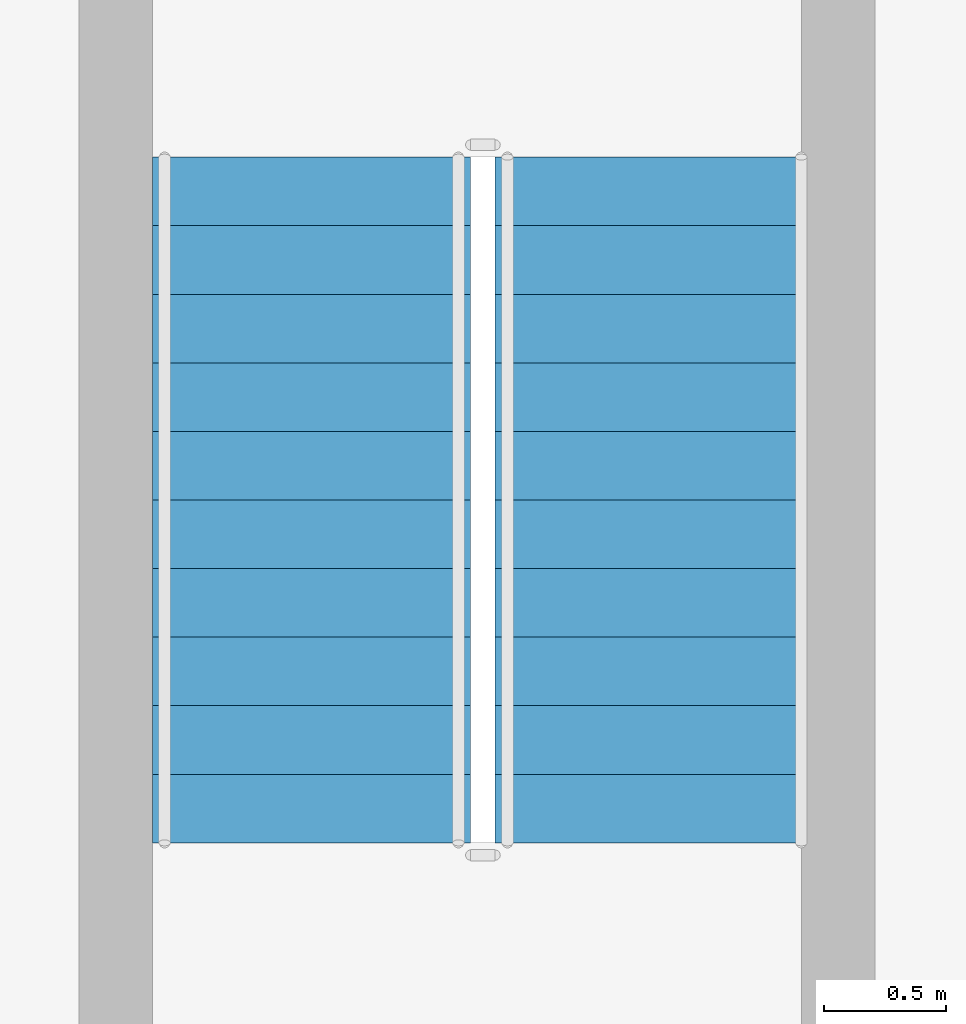
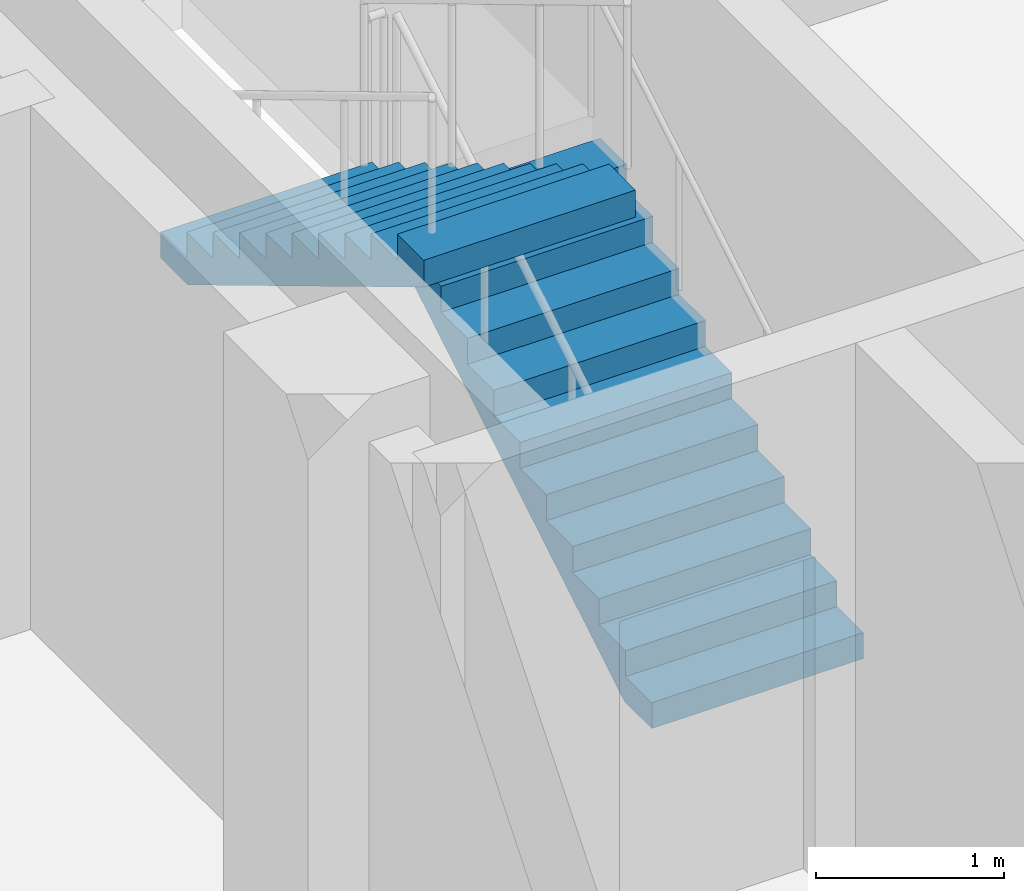
# One storey, part 16 of 23: 2 stair flights, 1 element without a shape of its own.
"""IFC4 building model written with IfcOpenShell, lengths in metres."""

from ifc_helpers import new_model, si_unit, direction, frame, origin, place, context, subcontext, project, spatial, triangles, source, transform, mapped, material, type_object, element, aggregate, save


model = new_model("IFC4")

# Units and contexts
model_context = context("Model", 3, precision=1e-05, world=origin(), true_north=direction((0.0, 1.0)))
body_context = subcontext(model_context, "Body", "Model", "MODEL_VIEW")
ifc_project = project(units=[si_unit("LENGTHUNIT", "METRE"), si_unit("AREAUNIT", "SQUARE_METRE"), si_unit("VOLUMEUNIT", "CUBIC_METRE"), si_unit("PLANEANGLEUNIT", "RADIAN"), si_unit("MASSUNIT", "GRAM", prefix="KILO")], contexts=[model_context])

# Site, building, storey
site_placement = place(None, origin())
site = spatial("IfcSite", under=ifc_project, at=site_placement, CompositionType="ELEMENT")
building_placement = place(site_placement, origin())
building = spatial("IfcBuilding", under=site, at=building_placement, Name="Ogive Portal Towers", CompositionType="ELEMENT")
storey_placement = place(building_placement, frame((0.0, 0.0, 164.39990234375)))
storey = spatial("IfcBuildingStorey", under=building, at=storey_placement, Name="L40", CompositionType="ELEMENT", Elevation=164.39990234375)

# Stair, stair flights
ifc_material = material(Name="Concrete C40/50", Category="concrete")
stair_type = type_object("IfcStairType", Name="INT-STAIR", PredefinedType="HALF_TURN_STAIR", material=ifc_material)
stair_placement = place(storey_placement, origin())
stair = element("IfcStair", 1, at=stair_placement, inside=storey, type_object=stair_type, Name="L40 Exit Stair ST-A3", PredefinedType="HALF_TURN_STAIR")
stair_flight_type = type_object("IfcStairFlightType", Name="INT-FLIGHT", PredefinedType="STRAIGHT", material=ifc_material)
shared_shape = source(origin(), body_context, "Body", "Tessellation", [
    triangles([(0.0, -0.650146484375, 0.0), (0.0, -0.376220703125, 0.0), (0.0, -0.192626953125, 0.0), (0.0, -0.081298828125, 0.0), (0.0, -0.024169921875, 0.0), (0.0, -0.003173828125, 0.0), (0.0, 0.0, 0.0), (0.0, 0.0029296875, 0.0), (0.0, 0.02392578125, 0.0), (0.0, 0.0810546875, 0.0), (0.0, 0.1923828125, 0.0), (0.0, 0.3759765625, 0.0), (0.0, 0.64990234375, 0.0), (0.0, -0.650146484375, 0.168212890625), (0.0, -0.376220703125, 0.168212890625), (0.0, -0.192626953125, 0.168212890625), (0.0, -0.081298828125, 0.168212890625), (0.0, -0.024169921875, 0.168212890625), (0.0, -0.003173828125, 0.168212890625), (0.0, 0.0, 0.168212890625), (0.0, 0.0029296875, 0.168212890625), (0.0, 0.02392578125, 0.168212890625), (0.0, 0.0810546875, 0.168212890625), (0.0, 0.1923828125, 0.168212890625), (0.0, 0.3759765625, 0.168212890625), (0.0, 0.64990234375, 0.168212890625), (0.280029296875, -0.650146484375, 0.168212890625), (0.280029296875, -0.376220703125, 0.168212890625), (0.280029296875, -0.192626953125, 0.168212890625), (0.280029296875, -0.081298828125, 0.168212890625), (0.280029296875, -0.024169921875, 0.168212890625), (0.280029296875, -0.003173828125, 0.168212890625), (0.280029296875, 0.0, 0.168212890625), (0.280029296875, 0.0029296875, 0.168212890625), (0.280029296875, 0.02392578125, 0.168212890625), (0.280029296875, 0.0810546875, 0.168212890625), (0.280029296875, 0.1923828125, 0.168212890625), (0.280029296875, 0.3759765625, 0.168212890625), (0.280029296875, 0.64990234375, 0.168212890625), (0.280029296875, -0.650146484375, 0.33642578125), (0.280029296875, -0.376220703125, 0.33642578125), (0.280029296875, -0.192626953125, 0.33642578125), (0.280029296875, -0.081298828125, 0.33642578125), (0.280029296875, -0.024169921875, 0.33642578125), (0.280029296875, -0.003173828125, 0.33642578125), (0.280029296875, 0.0, 0.33642578125), (0.280029296875, 0.0029296875, 0.33642578125), (0.280029296875, 0.02392578125, 0.33642578125), (0.280029296875, 0.0810546875, 0.33642578125), (0.280029296875, 0.1923828125, 0.33642578125), (0.280029296875, 0.3759765625, 0.33642578125), (0.280029296875, 0.64990234375, 0.33642578125), (0.56005859375, -0.650146484375, 0.33642578125), (0.56005859375, -0.376220703125, 0.33642578125), (0.56005859375, -0.192626953125, 0.33642578125), (0.56005859375, -0.081298828125, 0.33642578125), (0.56005859375, -0.024169921875, 0.33642578125), (0.56005859375, -0.003173828125, 0.33642578125), (0.56005859375, 0.0, 0.33642578125), (0.56005859375, 0.0029296875, 0.33642578125), (0.56005859375, 0.02392578125, 0.33642578125), (0.56005859375, 0.0810546875, 0.33642578125), (0.56005859375, 0.1923828125, 0.33642578125), (0.56005859375, 0.3759765625, 0.33642578125), (0.56005859375, 0.64990234375, 0.33642578125), (0.56005859375, -0.650146484375, 0.504638671875), (0.56005859375, -0.376220703125, 0.504638671875), (0.56005859375, -0.192626953125, 0.504638671875), (0.56005859375, -0.081298828125, 0.504638671875), (0.56005859375, -0.024169921875, 0.504638671875), (0.56005859375, -0.003173828125, 0.504638671875), (0.56005859375, 0.0, 0.504638671875), (0.56005859375, 0.0029296875, 0.504638671875), (0.56005859375, 0.02392578125, 0.504638671875), (0.56005859375, 0.0810546875, 0.504638671875), (0.56005859375, 0.1923828125, 0.504638671875), (0.56005859375, 0.3759765625, 0.504638671875), (0.56005859375, 0.64990234375, 0.504638671875), (0.840087890625, -0.650146484375, 0.504638671875), (0.840087890625, -0.376220703125, 0.504638671875), (0.840087890625, -0.192626953125, 0.504638671875), (0.840087890625, -0.081298828125, 0.504638671875), (0.840087890625, -0.024169921875, 0.504638671875), (0.840087890625, -0.003173828125, 0.504638671875), (0.840087890625, 0.0, 0.504638671875), (0.840087890625, 0.0029296875, 0.504638671875), (0.840087890625, 0.02392578125, 0.504638671875), (0.840087890625, 0.0810546875, 0.504638671875), (0.840087890625, 0.1923828125, 0.504638671875), (0.840087890625, 0.3759765625, 0.504638671875), (0.840087890625, 0.64990234375, 0.504638671875), (0.840087890625, -0.650146484375, 0.672607421875), (0.840087890625, -0.376220703125, 0.672607421875), (0.840087890625, -0.192626953125, 0.672607421875), (0.840087890625, -0.081298828125, 0.672607421875), (0.840087890625, -0.024169921875, 0.672607421875), (0.840087890625, -0.003173828125, 0.672607421875), (0.840087890625, 0.0, 0.672607421875), (0.840087890625, 0.0029296875, 0.672607421875), (0.840087890625, 0.02392578125, 0.672607421875), (0.840087890625, 0.0810546875, 0.672607421875), (0.840087890625, 0.1923828125, 0.672607421875), (0.840087890625, 0.3759765625, 0.672607421875), (0.840087890625, 0.64990234375, 0.672607421875), (1.1201171875, -0.650146484375, 0.672607421875), (1.1201171875, -0.376220703125, 0.672607421875), (1.1201171875, -0.192626953125, 0.672607421875), (1.1201171875, -0.081298828125, 0.672607421875), (1.1201171875, -0.024169921875, 0.672607421875), (1.1201171875, -0.003173828125, 0.672607421875), (1.1201171875, 0.0, 0.672607421875), (1.1201171875, 0.0029296875, 0.672607421875), (1.1201171875, 0.02392578125, 0.672607421875), (1.1201171875, 0.0810546875, 0.672607421875), (1.1201171875, 0.1923828125, 0.672607421875), (1.1201171875, 0.3759765625, 0.672607421875), (1.1201171875, 0.64990234375, 0.672607421875), (1.1201171875, -0.650146484375, 0.8408203125), (1.1201171875, -0.376220703125, 0.8408203125), (1.1201171875, -0.192626953125, 0.8408203125), (1.1201171875, -0.081298828125, 0.8408203125), (1.1201171875, -0.024169921875, 0.8408203125), (1.1201171875, -0.003173828125, 0.8408203125), (1.1201171875, 0.0, 0.8408203125), (1.1201171875, 0.0029296875, 0.8408203125), (1.1201171875, 0.02392578125, 0.8408203125), (1.1201171875, 0.0810546875, 0.8408203125), (1.1201171875, 0.1923828125, 0.8408203125), (1.1201171875, 0.3759765625, 0.8408203125), (1.1201171875, 0.64990234375, 0.8408203125), (1.39990234375, -0.650146484375, 0.8408203125), (1.39990234375, -0.376220703125, 0.8408203125), (1.39990234375, -0.192626953125, 0.8408203125), (1.39990234375, -0.081298828125, 0.8408203125), (1.39990234375, -0.024169921875, 0.8408203125), (1.39990234375, -0.003173828125, 0.8408203125), (1.39990234375, 0.0, 0.8408203125), (1.39990234375, 0.0029296875, 0.8408203125), (1.39990234375, 0.02392578125, 0.8408203125), (1.39990234375, 0.0810546875, 0.8408203125), (1.39990234375, 0.1923828125, 0.8408203125), (1.39990234375, 0.3759765625, 0.8408203125), (1.39990234375, 0.64990234375, 0.8408203125), (1.39990234375, -0.650146484375, 1.009033203125), (1.39990234375, -0.376220703125, 1.009033203125), (1.39990234375, -0.192626953125, 1.009033203125), (1.39990234375, -0.081298828125, 1.009033203125), (1.39990234375, -0.024169921875, 1.009033203125), (1.39990234375, -0.003173828125, 1.009033203125), (1.39990234375, 0.0, 1.009033203125), (1.39990234375, 0.0029296875, 1.009033203125), (1.39990234375, 0.02392578125, 1.009033203125), (1.39990234375, 0.0810546875, 1.009033203125), (1.39990234375, 0.1923828125, 1.009033203125), (1.39990234375, 0.3759765625, 1.009033203125), (1.39990234375, 0.64990234375, 1.009033203125), (1.679931640625, -0.650146484375, 1.009033203125), (1.679931640625, -0.376220703125, 1.009033203125), (1.679931640625, -0.192626953125, 1.009033203125), (1.679931640625, -0.081298828125, 1.009033203125), (1.679931640625, -0.024169921875, 1.009033203125), (1.679931640625, -0.003173828125, 1.009033203125), (1.679931640625, 0.0, 1.009033203125), (1.679931640625, 0.0029296875, 1.009033203125), (1.679931640625, 0.02392578125, 1.009033203125), (1.679931640625, 0.0810546875, 1.009033203125), (1.679931640625, 0.1923828125, 1.009033203125), (1.679931640625, 0.3759765625, 1.009033203125), (1.679931640625, 0.64990234375, 1.009033203125), (1.679931640625, -0.650146484375, 1.17724609375), (1.679931640625, -0.376220703125, 1.17724609375), (1.679931640625, -0.192626953125, 1.17724609375), (1.679931640625, -0.081298828125, 1.17724609375), (1.679931640625, -0.024169921875, 1.17724609375), (1.679931640625, -0.003173828125, 1.17724609375), (1.679931640625, 0.0, 1.17724609375), (1.679931640625, 0.0029296875, 1.17724609375), (1.679931640625, 0.02392578125, 1.17724609375), (1.679931640625, 0.0810546875, 1.17724609375), (1.679931640625, 0.1923828125, 1.17724609375), (1.679931640625, 0.3759765625, 1.17724609375), (1.679931640625, 0.64990234375, 1.17724609375), (1.9599609375, -0.650146484375, 1.17724609375), (1.9599609375, -0.376220703125, 1.17724609375), (1.9599609375, -0.192626953125, 1.17724609375), (1.9599609375, -0.081298828125, 1.17724609375), (1.9599609375, -0.024169921875, 1.17724609375), (1.9599609375, -0.003173828125, 1.17724609375), (1.9599609375, 0.0, 1.17724609375), (1.9599609375, 0.0029296875, 1.17724609375), (1.9599609375, 0.02392578125, 1.17724609375), (1.9599609375, 0.0810546875, 1.17724609375), (1.9599609375, 0.1923828125, 1.17724609375), (1.9599609375, 0.3759765625, 1.17724609375), (1.9599609375, 0.64990234375, 1.17724609375), (1.9599609375, -0.650146484375, 1.345458984375), (1.9599609375, -0.376220703125, 1.345458984375), (1.9599609375, -0.192626953125, 1.345458984375), (1.9599609375, -0.081298828125, 1.345458984375), (1.9599609375, -0.024169921875, 1.345458984375), (1.9599609375, -0.003173828125, 1.345458984375), (1.9599609375, 0.0, 1.345458984375), (1.9599609375, 0.0029296875, 1.345458984375), (1.9599609375, 0.02392578125, 1.345458984375), (1.9599609375, 0.0810546875, 1.345458984375), (1.9599609375, 0.1923828125, 1.345458984375), (1.9599609375, 0.3759765625, 1.345458984375), (1.9599609375, 0.64990234375, 1.345458984375), (2.239990234375, -0.650146484375, 1.345458984375), (2.239990234375, -0.376220703125, 1.345458984375), (2.239990234375, -0.192626953125, 1.345458984375), (2.239990234375, -0.081298828125, 1.345458984375), (2.239990234375, -0.024169921875, 1.345458984375), (2.239990234375, -0.003173828125, 1.345458984375), (2.239990234375, 0.0, 1.345458984375), (2.239990234375, 0.0029296875, 1.345458984375), (2.239990234375, 0.02392578125, 1.345458984375), (2.239990234375, 0.0810546875, 1.345458984375), (2.239990234375, 0.1923828125, 1.345458984375), (2.239990234375, 0.3759765625, 1.345458984375), (2.239990234375, 0.64990234375, 1.345458984375), (2.239990234375, -0.650146484375, 1.513671875), (2.239990234375, -0.376220703125, 1.513671875), (2.239990234375, -0.192626953125, 1.513671875), (2.239990234375, -0.081298828125, 1.513671875), (2.239990234375, -0.024169921875, 1.513671875), (2.239990234375, -0.003173828125, 1.513671875), (2.239990234375, 0.0, 1.513671875), (2.239990234375, 0.0029296875, 1.513671875), (2.239990234375, 0.02392578125, 1.513671875), (2.239990234375, 0.0810546875, 1.513671875), (2.239990234375, 0.1923828125, 1.513671875), (2.239990234375, 0.3759765625, 1.513671875), (2.239990234375, 0.64990234375, 1.513671875), (2.52001953125, -0.650146484375, 1.513671875), (2.52001953125, -0.376220703125, 1.513671875), (2.52001953125, -0.192626953125, 1.513671875), (2.52001953125, -0.081298828125, 1.513671875), (2.52001953125, -0.024169921875, 1.513671875), (2.52001953125, -0.003173828125, 1.513671875), (2.52001953125, 0.0, 1.513671875), (2.52001953125, 0.0029296875, 1.513671875), (2.52001953125, 0.02392578125, 1.513671875), (2.52001953125, 0.0810546875, 1.513671875), (2.52001953125, 0.1923828125, 1.513671875), (2.52001953125, 0.3759765625, 1.513671875), (2.52001953125, 0.64990234375, 1.513671875), (2.52001953125, -0.650146484375, 1.681884765625), (2.52001953125, -0.376220703125, 1.681884765625), (2.52001953125, -0.192626953125, 1.681884765625), (2.52001953125, -0.081298828125, 1.681884765625), (2.52001953125, -0.024169921875, 1.681884765625), (2.52001953125, -0.003173828125, 1.681884765625), (2.52001953125, 0.0, 1.681884765625), (2.52001953125, 0.0029296875, 1.681884765625), (2.52001953125, 0.02392578125, 1.681884765625), (2.52001953125, 0.0810546875, 1.681884765625), (2.52001953125, 0.1923828125, 1.681884765625), (2.52001953125, 0.3759765625, 1.681884765625), (2.52001953125, 0.64990234375, 1.681884765625), (2.800048828125, -0.650146484375, 1.681884765625), (2.800048828125, -0.376220703125, 1.681884765625), (2.800048828125, -0.192626953125, 1.681884765625), (2.800048828125, -0.081298828125, 1.681884765625), (2.800048828125, -0.024169921875, 1.681884765625), (2.800048828125, -0.003173828125, 1.681884765625), (2.800048828125, 0.0, 1.681884765625), (2.800048828125, 0.0029296875, 1.681884765625), (2.800048828125, 0.02392578125, 1.681884765625), (2.800048828125, 0.0810546875, 1.681884765625), (2.800048828125, 0.1923828125, 1.681884765625), (2.800048828125, 0.3759765625, 1.681884765625), (2.800048828125, 0.64990234375, 1.681884765625), (2.800048828125, -0.650146484375, 1.5068359375), (2.800048828125, -0.376220703125, 1.5068359375), (2.800048828125, -0.192626953125, 1.5068359375), (2.800048828125, -0.081298828125, 1.5068359375), (2.800048828125, -0.024169921875, 1.5068359375), (2.800048828125, -0.003173828125, 1.5068359375), (2.800048828125, 0.0, 1.5068359375), (2.800048828125, 0.0029296875, 1.5068359375), (2.800048828125, 0.02392578125, 1.5068359375), (2.800048828125, 0.0810546875, 1.5068359375), (2.800048828125, 0.1923828125, 1.5068359375), (2.800048828125, 0.3759765625, 1.5068359375), (2.800048828125, 0.64990234375, 1.5068359375), (0.291015625, -0.650146484375, 0.0), (0.291015625, -0.376220703125, 0.0), (0.291015625, -0.192626953125, 0.0), (0.291015625, -0.081298828125, 0.0), (0.291015625, -0.024169921875, 0.0), (0.291015625, -0.003173828125, 0.0), (0.291015625, 0.0, 0.0), (0.291015625, 0.0029296875, 0.0), (0.291015625, 0.02392578125, 0.0), (0.291015625, 0.0810546875, 0.0), (0.291015625, 0.1923828125, 0.0), (0.291015625, 0.3759765625, 0.0), (0.291015625, 0.64990234375, 0.0)], [[1, 14, 15], [1, 15, 2], [2, 15, 16], [2, 16, 3], [3, 16, 17], [3, 17, 4], [4, 17, 18], [4, 18, 5], [5, 18, 19], [5, 19, 6], [6, 19, 20], [6, 20, 7], [7, 20, 21], [7, 21, 8], [8, 21, 22], [8, 22, 9], [9, 22, 23], [9, 23, 10], [10, 23, 24], [10, 24, 11], [11, 24, 25], [11, 25, 12], [12, 25, 26], [12, 26, 13], [14, 27, 28], [14, 28, 15], [15, 28, 29], [15, 29, 16], [16, 29, 30], [16, 30, 17], [17, 30, 31], [17, 31, 18], [18, 31, 32], [18, 32, 19], [19, 32, 33], [19, 33, 20], [20, 33, 34], [20, 34, 21], [21, 34, 35], [21, 35, 22], [22, 35, 36], [22, 36, 23], [23, 36, 37], [23, 37, 24], [24, 37, 38], [24, 38, 25], [25, 38, 39], [25, 39, 26], [27, 40, 41], [27, 41, 28], [28, 41, 42], [28, 42, 29], [29, 42, 43], [29, 43, 30], [30, 43, 44], [30, 44, 31], [31, 44, 45], [31, 45, 32], [32, 45, 46], [32, 46, 33], [33, 46, 47], [33, 47, 34], [34, 47, 48], [34, 48, 35], [35, 48, 49], [35, 49, 36], [36, 49, 50], [36, 50, 37], [37, 50, 51], [37, 51, 38], [38, 51, 52], [38, 52, 39], [40, 53, 54], [40, 54, 41], [41, 54, 55], [41, 55, 42], [42, 55, 56], [42, 56, 43], [43, 56, 57], [43, 57, 44], [44, 57, 58], [44, 58, 45], [45, 58, 59], [45, 59, 46], [46, 59, 60], [46, 60, 47], [47, 60, 61], [47, 61, 48], [48, 61, 62], [48, 62, 49], [49, 62, 63], [49, 63, 50], [50, 63, 64], [50, 64, 51], [51, 64, 65], [51, 65, 52], [53, 66, 67], [53, 67, 54], [54, 67, 68], [54, 68, 55], [55, 68, 69], [55, 69, 56], [56, 69, 70], [56, 70, 57], [57, 70, 71], [57, 71, 58], [58, 71, 72], [58, 72, 59], [59, 72, 73], [59, 73, 60], [60, 73, 74], [60, 74, 61], [61, 74, 75], [61, 75, 62], [62, 75, 76], [62, 76, 63], [63, 76, 77], [63, 77, 64], [64, 77, 78], [64, 78, 65], [66, 79, 80], [66, 80, 67], [67, 80, 81], [67, 81, 68], [68, 81, 82], [68, 82, 69], [69, 82, 83], [69, 83, 70], [70, 83, 84], [70, 84, 71], [71, 84, 85], [71, 85, 72], [72, 85, 86], [72, 86, 73], [73, 86, 87], [73, 87, 74], [74, 87, 88], [74, 88, 75], [75, 88, 89], [75, 89, 76], [76, 89, 90], [76, 90, 77], [77, 90, 91], [77, 91, 78], [79, 92, 93], [79, 93, 80], [80, 93, 94], [80, 94, 81], [81, 94, 95], [81, 95, 82], [82, 95, 96], [82, 96, 83], [83, 96, 97], [83, 97, 84], [84, 97, 98], [84, 98, 85], [85, 98, 99], [85, 99, 86], [86, 99, 100], [86, 100, 87], [87, 100, 101], [87, 101, 88], [88, 101, 102], [88, 102, 89], [89, 102, 103], [89, 103, 90], [90, 103, 104], [90, 104, 91], [92, 105, 106], [92, 106, 93], [93, 106, 107], [93, 107, 94], [94, 107, 108], [94, 108, 95], [95, 108, 109], [95, 109, 96], [96, 109, 110], [96, 110, 97], [97, 110, 111], [97, 111, 98], [98, 111, 112], [98, 112, 99], [99, 112, 113], [99, 113, 100], [100, 113, 114], [100, 114, 101], [101, 114, 115], [101, 115, 102], [102, 115, 116], [102, 116, 103], [103, 116, 117], [103, 117, 104], [105, 118, 119], [105, 119, 106], [106, 119, 120], [106, 120, 107], [107, 120, 121], [107, 121, 108], [108, 121, 122], [108, 122, 109], [109, 122, 123], [109, 123, 110], [110, 123, 124], [110, 124, 111], [111, 124, 125], [111, 125, 112], [112, 125, 126], [112, 126, 113], [113, 126, 127], [113, 127, 114], [114, 127, 128], [114, 128, 115], [115, 128, 129], [115, 129, 116], [116, 129, 130], [116, 130, 117], [118, 131, 132], [118, 132, 119], [119, 132, 133], [119, 133, 120], [120, 133, 134], [120, 134, 121], [121, 134, 135], [121, 135, 122], [122, 135, 136], [122, 136, 123], [123, 136, 137], [123, 137, 124], [124, 137, 138], [124, 138, 125], [125, 138, 139], [125, 139, 126], [126, 139, 140], [126, 140, 127], [127, 140, 141], [127, 141, 128], [128, 141, 142], [128, 142, 129], [129, 142, 143], [129, 143, 130], [131, 144, 145], [131, 145, 132], [132, 145, 146], [132, 146, 133], [133, 146, 147], [133, 147, 134], [134, 147, 148], [134, 148, 135], [135, 148, 149], [135, 149, 136], [136, 149, 150], [136, 150, 137], [137, 150, 151], [137, 151, 138], [138, 151, 152], [138, 152, 139], [139, 152, 153], [139, 153, 140], [140, 153, 154], [140, 154, 141], [141, 154, 155], [141, 155, 142], [142, 155, 156], [142, 156, 143], [144, 157, 158], [144, 158, 145], [145, 158, 159], [145, 159, 146], [146, 159, 160], [146, 160, 147], [147, 160, 161], [147, 161, 148], [148, 161, 162], [148, 162, 149], [149, 162, 163], [149, 163, 150], [150, 163, 164], [150, 164, 151], [151, 164, 165], [151, 165, 152], [152, 165, 166], [152, 166, 153], [153, 166, 167], [153, 167, 154], [154, 167, 168], [154, 168, 155], [155, 168, 169], [155, 169, 156], [157, 170, 171], [157, 171, 158], [158, 171, 172], [158, 172, 159], [159, 172, 173], [159, 173, 160], [160, 173, 174], [160, 174, 161], [161, 174, 175], [161, 175, 162], [162, 175, 176], [162, 176, 163], [163, 176, 177], [163, 177, 164], [164, 177, 178], [164, 178, 165], [165, 178, 179], [165, 179, 166], [166, 179, 180], [166, 180, 167], [167, 180, 181], [167, 181, 168], [168, 181, 182], [168, 182, 169], [170, 183, 184], [170, 184, 171], [171, 184, 185], [171, 185, 172], [172, 185, 186], [172, 186, 173], [173, 186, 187], [173, 187, 174], [174, 187, 188], [174, 188, 175], [175, 188, 189], [175, 189, 176], [176, 189, 190], [176, 190, 177], [177, 190, 191], [177, 191, 178], [178, 191, 192], [178, 192, 179], [179, 192, 193], [179, 193, 180], [180, 193, 194], [180, 194, 181], [181, 194, 195], [181, 195, 182], [183, 196, 197], [183, 197, 184], [184, 197, 198], [184, 198, 185], [185, 198, 199], [185, 199, 186], [186, 199, 200], [186, 200, 187], [187, 200, 201], [187, 201, 188], [188, 201, 202], [188, 202, 189], [189, 202, 203], [189, 203, 190], [190, 203, 204], [190, 204, 191], [191, 204, 205], [191, 205, 192], [192, 205, 206], [192, 206, 193], [193, 206, 207], [193, 207, 194], [194, 207, 208], [194, 208, 195], [196, 209, 210], [196, 210, 197], [197, 210, 211], [197, 211, 198], [198, 211, 212], [198, 212, 199], [199, 212, 213], [199, 213, 200], [200, 213, 214], [200, 214, 201], [201, 214, 215], [201, 215, 202], [202, 215, 216], [202, 216, 203], [203, 216, 217], [203, 217, 204], [204, 217, 218], [204, 218, 205], [205, 218, 219], [205, 219, 206], [206, 219, 220], [206, 220, 207], [207, 220, 221], [207, 221, 208], [209, 222, 223], [209, 223, 210], [210, 223, 224], [210, 224, 211], [211, 224, 225], [211, 225, 212], [212, 225, 226], [212, 226, 213], [213, 226, 227], [213, 227, 214], [214, 227, 228], [214, 228, 215], [215, 228, 229], [215, 229, 216], [216, 229, 230], [216, 230, 217], [217, 230, 231], [217, 231, 218], [218, 231, 232], [218, 232, 219], [219, 232, 233], [219, 233, 220], [220, 233, 234], [220, 234, 221], [222, 235, 236], [222, 236, 223], [223, 236, 237], [223, 237, 224], [224, 237, 238], [224, 238, 225], [225, 238, 239], [225, 239, 226], [226, 239, 240], [226, 240, 227], [227, 240, 241], [227, 241, 228], [228, 241, 242], [228, 242, 229], [229, 242, 243], [229, 243, 230], [230, 243, 244], [230, 244, 231], [231, 244, 245], [231, 245, 232], [232, 245, 246], [232, 246, 233], [233, 246, 247], [233, 247, 234], [235, 248, 249], [235, 249, 236], [236, 249, 250], [236, 250, 237], [237, 250, 251], [237, 251, 238], [238, 251, 252], [238, 252, 239], [239, 252, 253], [239, 253, 240], [240, 253, 254], [240, 254, 241], [241, 254, 255], [241, 255, 242], [242, 255, 256], [242, 256, 243], [243, 256, 257], [243, 257, 244], [244, 257, 258], [244, 258, 245], [245, 258, 259], [245, 259, 246], [246, 259, 260], [246, 260, 247], [248, 261, 262], [248, 262, 249], [249, 262, 263], [249, 263, 250], [250, 263, 264], [250, 264, 251], [251, 264, 265], [251, 265, 252], [252, 265, 266], [252, 266, 253], [253, 266, 267], [253, 267, 254], [254, 267, 268], [254, 268, 255], [255, 268, 269], [255, 269, 256], [256, 269, 270], [256, 270, 257], [257, 270, 271], [257, 271, 258], [258, 271, 272], [258, 272, 259], [259, 272, 273], [259, 273, 260], [261, 274, 275], [261, 275, 262], [262, 275, 276], [262, 276, 263], [263, 276, 277], [263, 277, 264], [264, 277, 278], [264, 278, 265], [265, 278, 279], [265, 279, 266], [266, 279, 280], [266, 280, 267], [267, 280, 281], [267, 281, 268], [268, 281, 282], [268, 282, 269], [269, 282, 283], [269, 283, 270], [270, 283, 284], [270, 284, 271], [271, 284, 285], [271, 285, 272], [272, 285, 286], [272, 286, 273], [274, 287, 288], [274, 288, 275], [275, 288, 289], [275, 289, 276], [276, 289, 290], [276, 290, 277], [277, 290, 291], [277, 291, 278], [278, 291, 292], [278, 292, 279], [279, 292, 293], [279, 293, 280], [280, 293, 294], [280, 294, 281], [281, 294, 295], [281, 295, 282], [282, 295, 296], [282, 296, 283], [283, 296, 297], [283, 297, 284], [284, 297, 298], [284, 298, 285], [285, 298, 299], [285, 299, 286], [287, 1, 2], [287, 2, 288], [288, 2, 3], [288, 3, 289], [289, 3, 4], [289, 4, 290], [290, 4, 5], [290, 5, 291], [291, 5, 6], [291, 6, 292], [292, 6, 7], [292, 7, 293], [293, 7, 8], [293, 8, 294], [294, 8, 9], [294, 9, 295], [295, 9, 10], [295, 10, 296], [296, 10, 11], [296, 11, 297], [297, 11, 12], [297, 12, 298], [298, 12, 13], [298, 13, 299], [1, 287, 274], [13, 286, 299], [274, 261, 248], [286, 260, 273], [274, 248, 235], [286, 247, 260], [274, 235, 222], [286, 234, 247], [274, 222, 209], [286, 221, 234], [209, 196, 183], [221, 195, 208], [274, 209, 183], [286, 195, 221], [183, 170, 157], [195, 169, 182], [274, 183, 157], [286, 169, 195], [157, 144, 131], [169, 143, 156], [274, 157, 131], [286, 143, 169], [131, 118, 105], [143, 117, 130], [274, 131, 105], [286, 117, 143], [1, 274, 105], [13, 117, 286], [105, 92, 79], [117, 91, 104], [79, 66, 53], [91, 65, 78], [105, 79, 53], [117, 65, 91], [53, 40, 27], [65, 39, 52], [105, 53, 27], [117, 39, 65], [1, 105, 27], [13, 39, 117], [27, 14, 1], [39, 13, 26]], closed=True),
])
stair_flight_1_placement = place(storey_placement, frame((43.550048828125, 67.199951171875, 0.0), z_axis=(0.0, 0.0, 1.0), x_axis=(0.0, 1.0, 0.0)))
stair_flight_1 = element("IfcStairFlight", 2, at=stair_flight_1_placement, type_object=stair_flight_type, Name="ST-A3 flight 1", NumberOfRisers=11, NumberOfTreads=10, PredefinedType="STRAIGHT", RiserHeight=0.168181818, TreadLength=0.28, context=body_context, shape_type="MappedRepresentation", body=[
    mapped(shared_shape, transform((0.0, 0.0, 0.0), scale=1.0)),
])
stair_flight_2_placement = place(storey_placement, frame((42.14990234375, 70.0, 1.85009765625), z_axis=(0.0, 0.0, 1.0), x_axis=(0.0, -1.0, 0.0)))
stair_flight_2 = element("IfcStairFlight", 3, at=stair_flight_2_placement, type_object=stair_flight_type, Name="ST-A3 flight 2", NumberOfRisers=11, NumberOfTreads=10, PredefinedType="STRAIGHT", RiserHeight=0.168181818, TreadLength=0.28, context=body_context, shape_type="MappedRepresentation", body=[
    mapped(shared_shape, transform((0.0, 0.0, 0.0), scale=1.0)),
])
aggregate(stair, [stair_flight_1, stair_flight_2])

save(model, "model.ifc")
